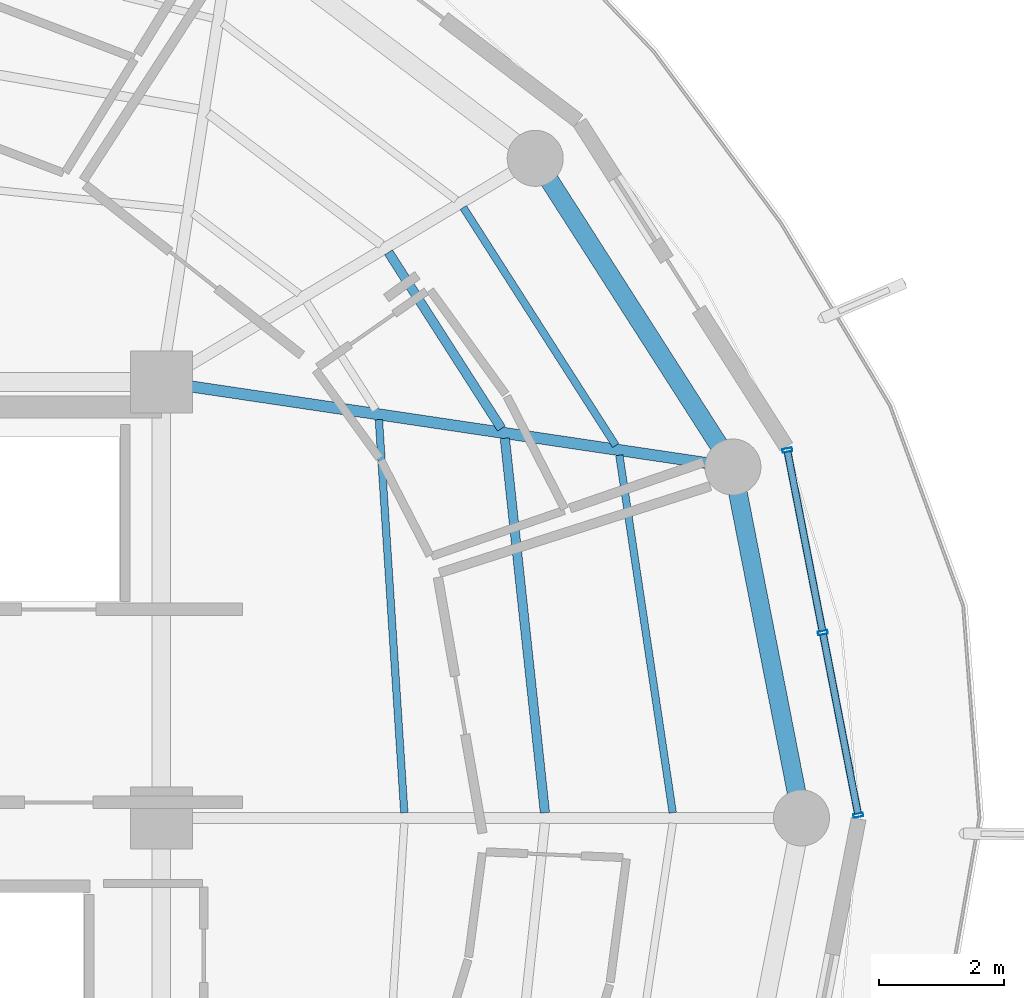
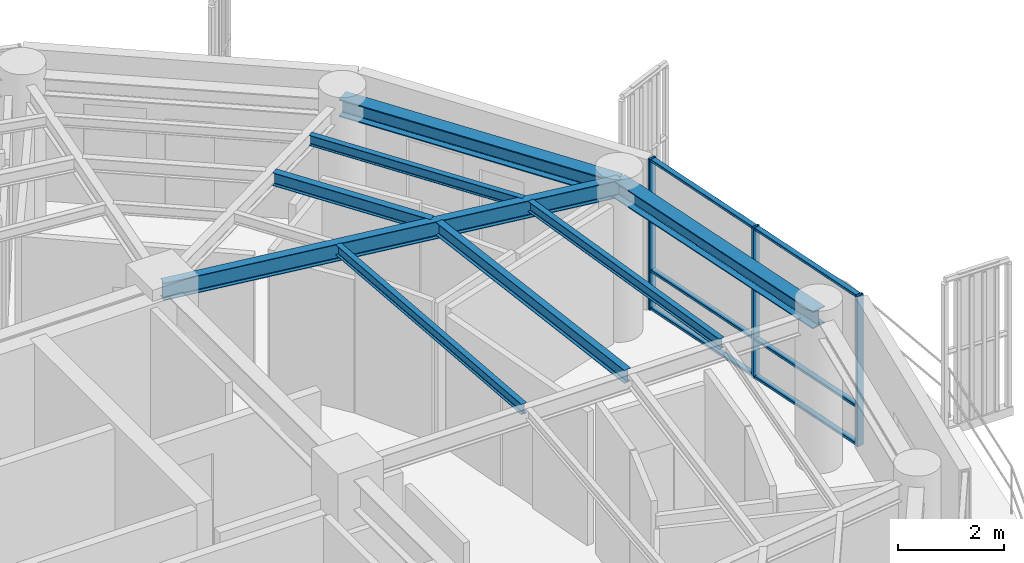
# One storey, part 10 of 22: 9 members, 8 beams, 1 element without a shape of its own.
"""IFC4 building model written with IfcOpenShell, lengths in metres."""

from ifc_helpers import new_model, si_unit, direction, frame, origin, origin_2d, place, context, subcontext, project, spatial, hollow_rectangle, i_section, extrude, material, layer, layer_set, material_profile, profile_set, type_object, element, aggregate, save


model = new_model("IFC4")

# Units and contexts
model_context = context("Model", 3, precision=1e-05, world=origin(), true_north=direction((0.0, 1.0)))
body_context = subcontext(model_context, "Body", "Model", "MODEL_VIEW")
ifc_project = project(units=[si_unit("LENGTHUNIT", "METRE"), si_unit("AREAUNIT", "SQUARE_METRE"), si_unit("VOLUMEUNIT", "CUBIC_METRE"), si_unit("PLANEANGLEUNIT", "RADIAN"), si_unit("MASSUNIT", "GRAM", prefix="KILO")], contexts=[model_context])

# Site, building, storey
site_placement = place(None, origin())
site = spatial("IfcSite", under=ifc_project, at=site_placement, CompositionType="ELEMENT")
building_placement = place(site_placement, origin())
building = spatial("IfcBuilding", under=site, at=building_placement, Name="Kelanora Arch Commons", CompositionType="ELEMENT")
storey_placement = place(building_placement, frame((0.0, 0.0, 267.449951171875)))
storey = spatial("IfcBuildingStorey", under=building, at=storey_placement, Name="L68", CompositionType="ELEMENT", Elevation=267.449951171875)

# Beams
ifc_material_1 = material(Name="Steel S355", Category="steel")
ifc_material_profile_1 = material_profile(ifc_material_1, i_section(OverallWidth=0.14990234375, OverallDepth=0.300048828125, WebThickness=0.007080078125, FlangeThickness=0.0107421875, FilletRadius=0.014892578125, at=origin_2d()), Name="IPE300")
ifc_profile_set_1 = profile_set([ifc_material_profile_1], Name="Steel S355")
beam_type_1 = type_object("IfcBeamType", Name="BM-JST-01", PredefinedType="JOIST", material=ifc_profile_set_1)
beam_1_placement = place(storey_placement, frame((88.158935546875, 58.08447265625, 3.340087890625), z_axis=(-0.106380594087, 0.994325484538, 0.0), x_axis=(-0.994325484538, -0.106380594087, 0.0)))
element("IfcBeam", 1, at=beam_1_placement, inside=storey, type_object=beam_type_1, Name="Secondary Chord Joist BJB-00 L68", PredefinedType="JOIST", context=body_context, shape_type="SweptSolid", body=[
    extrude(i_section(OverallWidth=0.14990234375, OverallDepth=0.300048828125, WebThickness=0.007080078125, FlangeThickness=0.0107421875, FilletRadius=0.014892578125, at=origin_2d()), origin(), (0.0, 0.0, 1.0), 6.04736328125),
])
beam_2_placement = place(storey_placement, frame((87.460693359375, 64.25341796875, 3.340087890625), z_axis=(-0.539321586177, 0.842099891155, 0.0), x_axis=(-0.842099891155, -0.539321586177, 0.0)))
element("IfcBeam", 2, at=beam_2_placement, inside=storey, type_object=beam_type_1, Name="Secondary Chord Joist BJB-02 L68", PredefinedType="JOIST", context=body_context, shape_type="SweptSolid", body=[
    extrude(i_section(OverallWidth=0.14990234375, OverallDepth=0.300048828125, WebThickness=0.007080078125, FlangeThickness=0.0107421875, FilletRadius=0.014892578125, at=origin_2d()), origin(), (0.0, 0.0, 1.0), 3.361572265625),
])
ifc_material_profile_2 = material_profile(ifc_material_1, i_section(OverallWidth=0.1201171875, OverallDepth=0.239990234375, WebThickness=0.006103515625, FlangeThickness=0.009765625, FilletRadius=0.014892578125, at=origin_2d()), Name="IPE240")
ifc_profile_set_2 = profile_set([ifc_material_profile_2], Name="Steel S355")
beam_type_2 = type_object("IfcBeamType", Name="BM-JST-02", PredefinedType="JOIST", material=ifc_profile_set_2)
beam_3_placement = place(storey_placement, frame((85.90087890625, 58.084716796875, 3.3701171875), z_axis=(-0.064495107978, 0.99791802321, 0.0), x_axis=(-0.99791802321, -0.064495107978, 0.0)))
element("IfcBeam", 3, at=beam_3_placement, inside=storey, type_object=beam_type_2, Name="Secondary Chord Joist BJA-00 L68", PredefinedType="JOIST", context=body_context, shape_type="SweptSolid", body=[
    extrude(i_section(OverallWidth=0.1201171875, OverallDepth=0.239990234375, WebThickness=0.006103515625, FlangeThickness=0.009765625, FilletRadius=0.014892578125, at=origin_2d()), origin(), (0.0, 0.0, 1.0), 6.325439453125),
])
beam_4_placement = place(storey_placement, frame((90.21142578125, 58.083984375, 3.3701171875), z_axis=(-0.14762470282, 0.989043450571, 0.0), x_axis=(-0.989043450571, -0.14762470282, 0.0)))
element("IfcBeam", 4, at=beam_4_placement, inside=storey, type_object=beam_type_2, Name="Secondary Chord Joist BJC-00 L68", PredefinedType="JOIST", context=body_context, shape_type="SweptSolid", body=[
    extrude(i_section(OverallWidth=0.1201171875, OverallDepth=0.239990234375, WebThickness=0.006103515625, FlangeThickness=0.009765625, FilletRadius=0.014892578125, at=origin_2d()), origin(), (0.0, 0.0, 1.0), 5.804931640625),
])
beam_5_placement = place(storey_placement, frame((89.296142578125, 63.980712890625, 3.3701171875), z_axis=(-0.539288735289, 0.842120929552, 0.0), x_axis=(-0.842120929552, -0.539288735289, 0.0)))
element("IfcBeam", 5, at=beam_5_placement, inside=storey, type_object=beam_type_2, Name="Secondary Chord Joist BJC-02 L68", PredefinedType="JOIST", context=body_context, shape_type="SweptSolid", body=[
    extrude(i_section(OverallWidth=0.1201171875, OverallDepth=0.239990234375, WebThickness=0.006103515625, FlangeThickness=0.009765625, FilletRadius=0.014892578125, at=origin_2d()), origin(), (0.0, 0.0, 1.0), 4.538818359375),
])
ifc_material_profile_3 = material_profile(ifc_material_1, i_section(OverallWidth=0.179931640625, OverallDepth=0.39990234375, WebThickness=0.008544921875, FlangeThickness=0.013427734375, FilletRadius=0.02099609375, at=origin_2d()), Name="IPE400")
ifc_profile_set_3 = profile_set([ifc_material_profile_3], Name="Steel S355")
beam_type_3 = type_object("IfcBeamType", Name="BM-RAD-Z5", PredefinedType="BEAM", material=ifc_profile_set_3)
beam_6_placement = place(storey_placement, frame((82.0, 65.0, 3.2900390625), z_axis=(0.989142485564, -0.146959665395, 0.0), x_axis=(0.146959665395, 0.989142485564, 0.0)))
element("IfcBeam", 6, at=beam_6_placement, inside=storey, type_object=beam_type_3, Name="Radial Floor Girder BR-02 L68", PredefinedType="BEAM", context=body_context, shape_type="SweptSolid", body=[
    extrude(i_section(OverallWidth=0.179931640625, OverallDepth=0.39990234375, WebThickness=0.008544921875, FlangeThickness=0.013427734375, FilletRadius=0.02099609375, at=origin_2d()), origin(), (0.0, 0.0, 1.0), 9.2783203125),
])
ifc_material_profile_4 = material_profile(ifc_material_1, i_section(OverallWidth=0.300048828125, OverallDepth=0.39990234375, WebThickness=0.013427734375, FlangeThickness=0.02392578125, FilletRadius=0.027099609375, at=origin_2d()), Name="HEB400")
ifc_profile_set_4 = profile_set([ifc_material_profile_4], Name="Steel S355")
beam_type_4 = type_object("IfcBeamType", Name="BM-SPN-Z4", PredefinedType="SPANDREL", material=ifc_profile_set_4)
beam_7_placement = place(storey_placement, frame((92.280029296875, 58.0, 3.2900390625), z_axis=(-0.191969774604, 0.981400838413, 0.0), x_axis=(-0.981400838413, -0.191969774604, 0.0)))
element("IfcBeam", 7, at=beam_7_placement, inside=storey, type_object=beam_type_4, Name="Perimeter Spandrel Beam BS-00 L68", PredefinedType="SPANDREL", context=body_context, shape_type="SweptSolid", body=[
    extrude(i_section(OverallWidth=0.300048828125, OverallDepth=0.39990234375, WebThickness=0.013427734375, FlangeThickness=0.02392578125, FilletRadius=0.027099609375, at=origin_2d()), origin(), (0.0, 0.0, 1.0), 5.743408203125),
])
beam_8_placement = place(storey_placement, frame((91.177490234375, 63.636474609375, 3.2900390625), z_axis=(-0.539280851353, 0.842125978322, 0.0), x_axis=(-0.842125978322, -0.539280851353, 0.0)))
element("IfcBeam", 8, at=beam_8_placement, inside=storey, type_object=beam_type_4, Name="Perimeter Spandrel Beam BS-02 L68", PredefinedType="SPANDREL", context=body_context, shape_type="SweptSolid", body=[
    extrude(i_section(OverallWidth=0.300048828125, OverallDepth=0.39990234375, WebThickness=0.013427734375, FlangeThickness=0.02392578125, FilletRadius=0.027099609375, at=origin_2d()), origin(), (0.0, 0.0, 1.0), 5.8857421875),
])

# Curtain wall, members
ifc_material_2 = material(Name="Terracotta ceramic-fritted low-E glass and aluminium", Category="masonry")
ifc_layer = layer(ifc_material_2, 0.18994140625)
ifc_layer_set = layer_set([ifc_layer], Name="Terracotta ceramic-fritted low-E glass and aluminium")
curtain_wall_type = type_object("IfcCurtainWallType", Name="CW-SYS-03", PredefinedType="NOTDEFINED", material=ifc_layer_set)
curtain_wall_placement = place(storey_placement, origin())
curtain_wall = element("IfcCurtainWall", 9, at=curtain_wall_placement, inside=storey, type_object=curtain_wall_type, Name="Unitised Curtain Wall L68-B00", PredefinedType="NOTDEFINED")
ifc_material_3 = material(Name="Powder-coated aluminium terracotta", Category="masonry")
ifc_material_profile_5 = material_profile(ifc_material_3, hollow_rectangle(XDim=0.159912109375, YDim=0.06005859375, WallThickness=0.0048828125, InnerFilletRadius=0.0048828125, OuterFilletRadius=0.010009765625, at=origin_2d()), Name="CWM160x60")
ifc_profile_set_5 = profile_set([ifc_material_profile_5], Name="Powder-coated aluminium terracotta")
member_type_1 = type_object("IfcMemberType", Name="CWM-STD", PredefinedType="MULLION", material=ifc_profile_set_5)
member_1_placement = place(storey_placement, frame((93.19140625, 58.044189453125, 0.0), z_axis=(0.0, 0.0, 1.0), x_axis=(-0.981595542501, -0.190971701941, 0.0)))
member_1 = element("IfcMember", 10, at=member_1_placement, type_object=member_type_1, Name="CW-03 mullion 1", PredefinedType="MULLION", context=body_context, shape_type="SweptSolid", body=[
    extrude(hollow_rectangle(XDim=0.159912109375, YDim=0.06005859375, WallThickness=0.0048828125, InnerFilletRadius=0.0048828125, OuterFilletRadius=0.010009765625, at=origin_2d()), origin(), (0.0, 0.0, 1.0), 3.47509765625),
])
member_2_placement = place(storey_placement, frame((92.62109375, 60.9755859375, 0.0), z_axis=(0.0, 0.0, 1.0), x_axis=(-0.981595542501, -0.190971701941, 0.0)))
member_2 = element("IfcMember", 11, at=member_2_placement, type_object=member_type_1, Name="CW-03 mullion 2", PredefinedType="MULLION", context=body_context, shape_type="SweptSolid", body=[
    extrude(hollow_rectangle(XDim=0.159912109375, YDim=0.06005859375, WallThickness=0.0048828125, InnerFilletRadius=0.0048828125, OuterFilletRadius=0.010009765625, at=origin_2d()), origin(), (0.0, 0.0, 1.0), 3.47509765625),
])
member_3_placement = place(storey_placement, frame((92.05078125, 63.906982421875, 0.0), z_axis=(0.0, 0.0, 1.0), x_axis=(-0.981595542501, -0.190971701941, 0.0)))
member_3 = element("IfcMember", 12, at=member_3_placement, type_object=member_type_1, Name="CW-03 mullion 3", PredefinedType="MULLION", context=body_context, shape_type="SweptSolid", body=[
    extrude(hollow_rectangle(XDim=0.159912109375, YDim=0.06005859375, WallThickness=0.0048828125, InnerFilletRadius=0.0048828125, OuterFilletRadius=0.010009765625, at=origin_2d()), origin(), (0.0, 0.0, 1.0), 3.47509765625),
])
ifc_material_profile_6 = material_profile(ifc_material_3, hollow_rectangle(XDim=0.1201171875, YDim=0.06005859375, WallThickness=0.0048828125, InnerFilletRadius=0.0048828125, OuterFilletRadius=0.010009765625, at=origin_2d()), Name="CWT120x60")
ifc_profile_set_6 = profile_set([ifc_material_profile_6], Name="Powder-coated aluminium terracotta")
member_type_2 = type_object("IfcMemberType", Name="CWT-STD", PredefinedType="USERDEFINED", material=ifc_profile_set_6)
member_4_placement = place(storey_placement, frame((93.185546875, 58.073486328125, 0.030029296875), z_axis=(-0.190963443354, 0.981597149192, 0.0), x_axis=(-0.981597149192, -0.190963443354, 0.0)))
member_4 = element("IfcMember", 13, at=member_4_placement, type_object=member_type_2, Name="CW-03 transom 1.1", ObjectType="TRANSOM", PredefinedType="USERDEFINED", context=body_context, shape_type="SweptSolid", body=[
    extrude(hollow_rectangle(XDim=0.1201171875, YDim=0.06005859375, WallThickness=0.0048828125, InnerFilletRadius=0.0048828125, OuterFilletRadius=0.010009765625, at=origin_2d()), origin(), (0.0, 0.0, 1.0), 2.926513671875),
])
member_5_placement = place(storey_placement, frame((93.185546875, 58.073486328125, 0.900146484375), z_axis=(-0.190963443354, 0.981597149192, 0.0), x_axis=(-0.981597149192, -0.190963443354, 0.0)))
member_5 = element("IfcMember", 14, at=member_5_placement, type_object=member_type_2, Name="CW-03 transom 1.2", ObjectType="TRANSOM", PredefinedType="USERDEFINED", context=body_context, shape_type="SweptSolid", body=[
    extrude(hollow_rectangle(XDim=0.1201171875, YDim=0.06005859375, WallThickness=0.0048828125, InnerFilletRadius=0.0048828125, OuterFilletRadius=0.010009765625, at=origin_2d()), origin(), (0.0, 0.0, 1.0), 2.926513671875),
])
member_6_placement = place(storey_placement, frame((93.185546875, 58.073486328125, 3.445068359375), z_axis=(-0.190963443354, 0.981597149192, 0.0), x_axis=(-0.981597149192, -0.190963443354, 0.0)))
member_6 = element("IfcMember", 15, at=member_6_placement, type_object=member_type_2, Name="CW-03 transom 1.3", ObjectType="TRANSOM", PredefinedType="USERDEFINED", context=body_context, shape_type="SweptSolid", body=[
    extrude(hollow_rectangle(XDim=0.1201171875, YDim=0.06005859375, WallThickness=0.0048828125, InnerFilletRadius=0.0048828125, OuterFilletRadius=0.010009765625, at=origin_2d()), origin(), (0.0, 0.0, 1.0), 2.926513671875),
])
member_7_placement = place(storey_placement, frame((92.615234375, 61.005126953125, 0.030029296875), z_axis=(-0.190963443354, 0.981597149192, 0.0), x_axis=(-0.981597149192, -0.190963443354, 0.0)))
member_7 = element("IfcMember", 16, at=member_7_placement, type_object=member_type_2, Name="CW-03 transom 2.1", ObjectType="TRANSOM", PredefinedType="USERDEFINED", context=body_context, shape_type="SweptSolid", body=[
    extrude(hollow_rectangle(XDim=0.1201171875, YDim=0.06005859375, WallThickness=0.0048828125, InnerFilletRadius=0.0048828125, OuterFilletRadius=0.010009765625, at=origin_2d()), origin(), (0.0, 0.0, 1.0), 2.926513671875),
])
member_8_placement = place(storey_placement, frame((92.615234375, 61.005126953125, 0.900146484375), z_axis=(-0.190963443354, 0.981597149192, 0.0), x_axis=(-0.981597149192, -0.190963443354, 0.0)))
member_8 = element("IfcMember", 17, at=member_8_placement, type_object=member_type_2, Name="CW-03 transom 2.2", ObjectType="TRANSOM", PredefinedType="USERDEFINED", context=body_context, shape_type="SweptSolid", body=[
    extrude(hollow_rectangle(XDim=0.1201171875, YDim=0.06005859375, WallThickness=0.0048828125, InnerFilletRadius=0.0048828125, OuterFilletRadius=0.010009765625, at=origin_2d()), origin(), (0.0, 0.0, 1.0), 2.926513671875),
])
member_9_placement = place(storey_placement, frame((92.615234375, 61.005126953125, 3.445068359375), z_axis=(-0.190963443354, 0.981597149192, 0.0), x_axis=(-0.981597149192, -0.190963443354, 0.0)))
member_9 = element("IfcMember", 18, at=member_9_placement, type_object=member_type_2, Name="CW-03 transom 2.3", ObjectType="TRANSOM", PredefinedType="USERDEFINED", context=body_context, shape_type="SweptSolid", body=[
    extrude(hollow_rectangle(XDim=0.1201171875, YDim=0.06005859375, WallThickness=0.0048828125, InnerFilletRadius=0.0048828125, OuterFilletRadius=0.010009765625, at=origin_2d()), origin(), (0.0, 0.0, 1.0), 2.926513671875),
])
aggregate(curtain_wall, [member_1, member_2, member_3, member_4, member_5, member_6, member_7, member_8, member_9])

save(model, "model.ifc")
